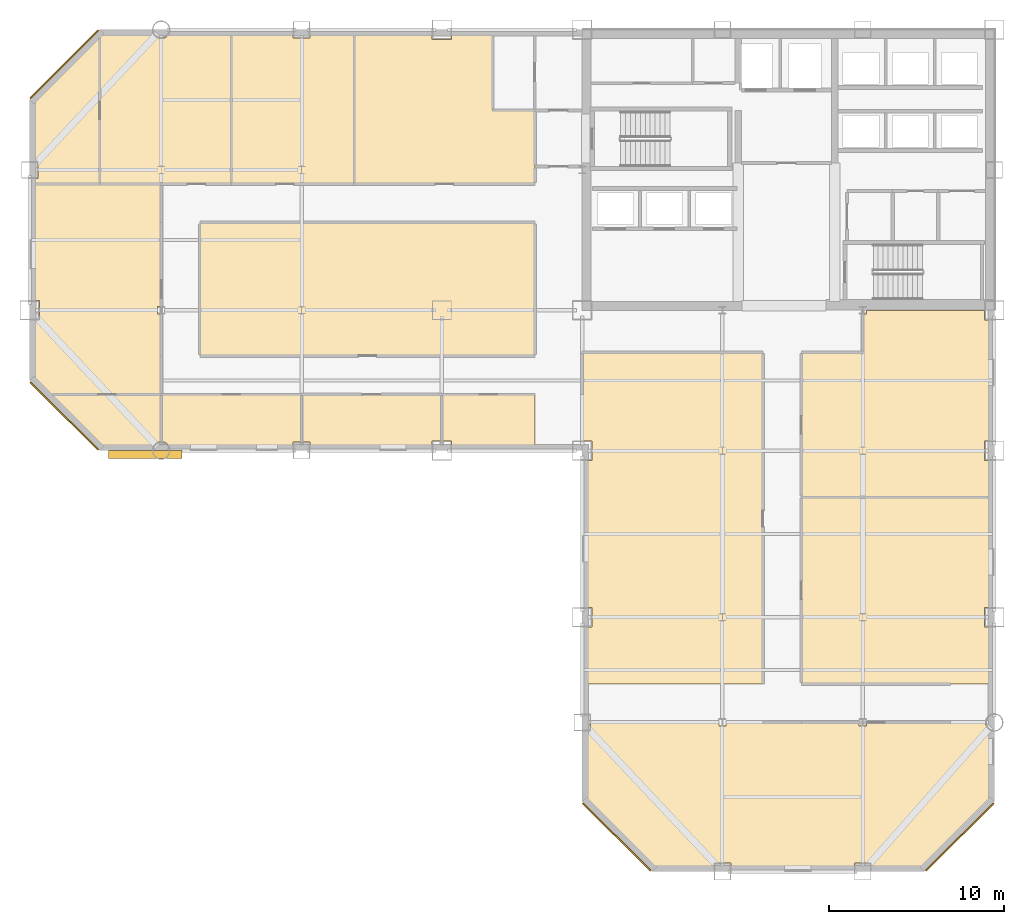
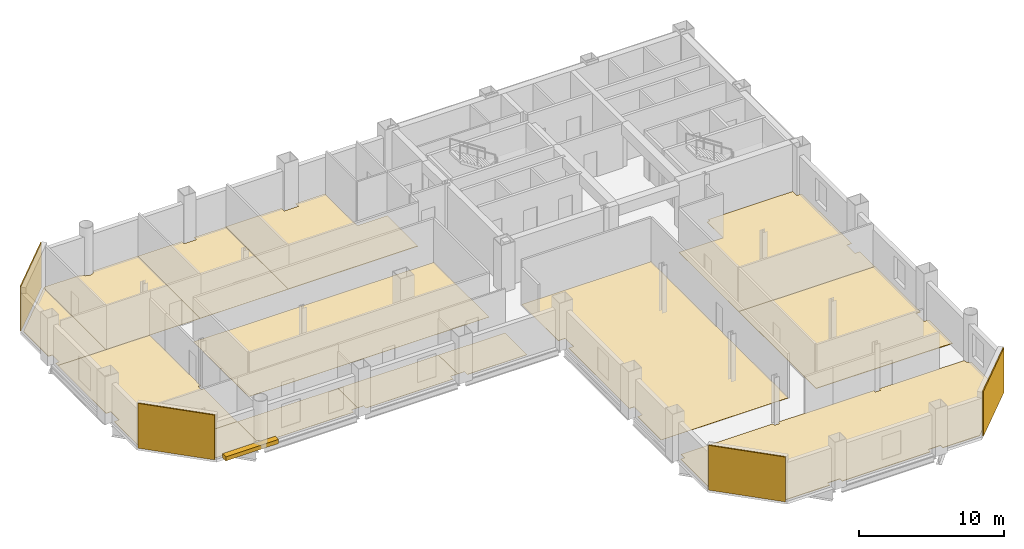
# One storey, part 9 of 10: 18 coverings, 1 shading device.
"""IFC4 building model written with IfcOpenShell, lengths in metres."""

from ifc_helpers import new_model, si_unit, direction, frame, origin, origin_2d, place, context, subcontext, project, spatial, polyline, rectangle, outline, extrude, material, layer, layer_set, type_object, element, save


model = new_model("IFC4")

# Units and contexts
model_context = context("Model", 3, precision=1e-05, world=origin(), true_north=direction((0.0, 1.0)))
body_context = subcontext(model_context, "Body", "Model", "MODEL_VIEW")
ifc_project = project(units=[si_unit("LENGTHUNIT", "METRE"), si_unit("AREAUNIT", "SQUARE_METRE"), si_unit("VOLUMEUNIT", "CUBIC_METRE"), si_unit("PLANEANGLEUNIT", "RADIAN"), si_unit("MASSUNIT", "GRAM", prefix="KILO")], contexts=[model_context])

# Site, building, storey
site_placement = place(None, origin())
site = spatial("IfcSite", under=ifc_project, at=site_placement, CompositionType="ELEMENT")
building_placement = place(site_placement, origin())
building = spatial("IfcBuilding", under=site, at=building_placement, Name="Qianrong Seaharbour Tower", CompositionType="ELEMENT")
storey_placement = place(building_placement, frame((0.0, 0.0, 175.0)))
storey = spatial("IfcBuildingStorey", under=building, at=storey_placement, Name="L42", CompositionType="ELEMENT", Elevation=175.0)

# Coverings
ifc_material_1 = material(Name="Unitised red brick cladding on Precast concrete C45/55", Category="masonry")
ifc_layer_1 = layer(ifc_material_1, 0.080078125)
ifc_layer_set_1 = layer_set([ifc_layer_1], Name="Unitised red brick cladding on Precast concrete C45/55")
covering_type_1 = type_object("IfcCoveringType", Name="COV-CLAD-RED-BRICK-80", PredefinedType="CLADDING", material=ifc_layer_set_1)
for number, where, z_axis, x_axis, name in (
    (1, (10.9716796875, 29.9716796875, 0.0), (0.0, 0.0, 1.0), (-0.707106781187, 0.707106781187, 0.0), "L42 Chamfer Corner Brick Cladding 02"),
    (2, (10.9716796875, 50.0283203125, 0.0), (0.0, 0.0, 1.0), (0.707106781187, 0.707106781187, 0.0), "L42 Chamfer Corner Brick Cladding 04"),
    (3, (62.0283203125, 5.9716796875, 0.0), (0.0, 0.0, 1.0), (-0.707106781187, -0.707106781187, 0.0), "L42 Chamfer Corner Brick Cladding 07"),
    (4, (42.4716796875, 5.9716796875, 0.0), (0.0, 0.0, 1.0), (-0.707106781187, 0.707106781187, 0.0), "L42 Chamfer Corner Brick Cladding 09"),
):
    element("IfcCovering", number, at=place(storey_placement, frame(where, z_axis=z_axis, x_axis=x_axis)), inside=storey, type_object=covering_type_1, Name=name, PredefinedType="CLADDING", context=body_context, shape_type="SweptSolid", body=[
        extrude(rectangle(XDim=5.456787109375, YDim=0.080078125, at=origin_2d()), origin(), (0.0, 0.0, 1.0), 3.764892578125),
    ])
ifc_material_2 = material(Name="Acoustic modular carpet tile flooring")
ifc_layer_2 = layer(ifc_material_2, 0.02001953125)
ifc_layer_set_2 = layer_set([ifc_layer_2], Name="Acoustic modular carpet tile flooring")
covering_type_2 = type_object("IfcCoveringType", Name="COV-FLOOR-CARPET-20", PredefinedType="FLOORING", material=ifc_layer_set_2)
covering_1_placement = place(storey_placement, origin())
element("IfcCovering", 5, at=covering_1_placement, inside=storey, type_object=covering_type_2, Name="L42 Wellness Room 1 Finish Flooring", PredefinedType="FLOORING", context=body_context, shape_type="SweptSolid", body=[
    extrude(outline(polyline([(56.5, 33.60009765625), (56.5, 35.7900390625), (56.7099609375, 35.7900390625), (56.7099609375, 36.0), (63.43994140625, 36.0), (63.43994140625, 35.43994140625), (63.824951171875, 35.43994140625), (63.824951171875, 28.56005859375), (63.43994140625, 28.56005859375), (63.43994140625, 27.43994140625), (63.824951171875, 27.43994140625), (63.824951171875, 25.35009765625), (53.0, 25.35009765625), (53.0, 33.60009765625), (56.5, 33.60009765625)])), origin(), (0.0, 0.0, 1.0), 0.02001953125),
])
covering_2_placement = place(storey_placement, origin())
element("IfcCovering", 6, at=covering_2_placement, inside=storey, type_object=covering_type_2, Name="L42 Occupational Health Clinic 1 Finish Flooring", PredefinedType="FLOORING", context=body_context, shape_type="SweptSolid", body=[
    extrude(outline(polyline([(9.175048828125, 43.514892578125), (9.485107421875, 43.514892578125), (9.485107421875, 44.485107421875), (9.175048828125, 44.485107421875), (9.175048828125, 47.927490234375), (13.0, 51.75244140625), (13.0, 43.199951171875), (9.175048828125, 43.199951171875), (9.175048828125, 43.514892578125)])), origin(), (0.0, 0.0, 1.0), 0.02001953125),
])
covering_3_placement = place(storey_placement, origin())
element("IfcCovering", 7, at=covering_3_placement, inside=storey, type_object=covering_type_2, Name="L42 Physiotherapy Room 2 Finish Flooring", PredefinedType="FLOORING", context=body_context, shape_type="SweptSolid", body=[
    extrude(outline(polyline([(13.0, 51.75244140625), (13.072509765625, 51.824951171875), (16.022705078125, 51.824951171875), (16.02880859375, 51.8046875), (16.075927734375, 51.716796875), (16.139404296875, 51.639404296875), (16.216796875, 51.575927734375), (16.3046875, 51.52880859375), (16.400390625, 51.499755859375), (16.5, 51.489990234375), (16.599609375, 51.499755859375), (16.6953125, 51.52880859375), (16.783203125, 51.575927734375), (16.860595703125, 51.639404296875), (16.924072265625, 51.716796875), (16.97119140625, 51.8046875), (16.977294921875, 51.824951171875), (20.5, 51.824951171875), (20.5, 43.199951171875), (13.0, 43.199951171875), (13.0, 51.75244140625)])), origin(), (0.0, 0.0, 1.0), 0.02001953125),
])
covering_4_placement = place(storey_placement, origin())
element("IfcCovering", 8, at=covering_4_placement, inside=storey, type_object=covering_type_2, Name="L42 First Aid Nursing Room 3 Finish Flooring", PredefinedType="FLOORING", context=body_context, shape_type="SweptSolid", body=[
    extrude(outline(polyline([(20.5, 51.824951171875), (24.014892578125, 51.824951171875), (24.014892578125, 51.514892578125), (24.985107421875, 51.514892578125), (24.985107421875, 51.824951171875), (27.5, 51.824951171875), (27.5, 43.199951171875), (20.5, 43.199951171875), (20.5, 51.824951171875)])), origin(), (0.0, 0.0, 1.0), 0.02001953125),
])
covering_5_placement = place(storey_placement, origin())
element("IfcCovering", 9, at=covering_5_placement, inside=storey, type_object=covering_type_2, Name="L42 Rehabilitation Fitness Hall Finish Flooring", PredefinedType="FLOORING", context=body_context, shape_type="SweptSolid", body=[
    extrude(outline(polyline([(37.800048828125, 41.0), (37.800048828125, 33.39990234375), (18.699951171875, 33.39990234375), (18.699951171875, 41.0), (37.800048828125, 41.0)])), origin(), (0.0, 0.0, 1.0), 0.02001953125),
])
covering_6_placement = place(storey_placement, origin())
element("IfcCovering", 10, at=covering_6_placement, inside=storey, type_object=covering_type_2, Name="L42 Wellness Room 1 Finish Flooring", PredefinedType="FLOORING", context=body_context, shape_type="SweptSolid", body=[
    extrude(outline(polyline([(13.072509765625, 28.175048828125), (10.047607421875, 31.199951171875), (16.5, 31.199951171875), (16.5, 28.510009765625), (16.400390625, 28.500244140625), (16.3046875, 28.47119140625), (16.216796875, 28.424072265625), (16.139404296875, 28.360595703125), (16.075927734375, 28.283203125), (16.02880859375, 28.1953125), (16.022705078125, 28.175048828125), (13.072509765625, 28.175048828125)])), origin(), (0.0, 0.0, 1.0), 0.02001953125),
])
covering_7_placement = place(storey_placement, origin())
element("IfcCovering", 11, at=covering_7_placement, inside=storey, type_object=covering_type_2, Name="L42 Wet Pantry 2 Finish Flooring", PredefinedType="FLOORING", context=body_context, shape_type="SweptSolid", body=[
    extrude(outline(polyline([(24.5, 28.485107421875), (24.014892578125, 28.485107421875), (24.014892578125, 28.175048828125), (16.977294921875, 28.175048828125), (16.97119140625, 28.1953125), (16.924072265625, 28.283203125), (16.860595703125, 28.360595703125), (16.783203125, 28.424072265625), (16.6953125, 28.47119140625), (16.599609375, 28.500244140625), (16.5, 28.510009765625), (16.5, 31.199951171875), (24.5, 31.199951171875), (24.5, 28.485107421875)])), origin(), (0.0, 0.0, 1.0), 0.02001953125),
])
covering_8_placement = place(storey_placement, origin())
element("IfcCovering", 12, at=covering_8_placement, inside=storey, type_object=covering_type_2, Name="L42 Wellness Room 3 Finish Flooring", PredefinedType="FLOORING", context=body_context, shape_type="SweptSolid", body=[
    extrude(outline(polyline([(32.5, 28.56005859375), (31.93994140625, 28.56005859375), (31.93994140625, 28.175048828125), (24.985107421875, 28.175048828125), (24.985107421875, 28.485107421875), (24.5, 28.485107421875), (24.5, 31.199951171875), (32.5, 31.199951171875), (32.5, 28.56005859375)])), origin(), (0.0, 0.0, 1.0), 0.02001953125),
])
covering_9_placement = place(storey_placement, origin())
element("IfcCovering", 13, at=covering_9_placement, inside=storey, type_object=covering_type_2, Name="L42 Wet Pantry 4 Finish Flooring", PredefinedType="FLOORING", context=body_context, shape_type="SweptSolid", body=[
    extrude(outline(polyline([(37.800048828125, 28.175048828125), (33.06005859375, 28.175048828125), (33.06005859375, 28.56005859375), (32.5, 28.56005859375), (32.5, 31.199951171875), (37.800048828125, 31.199951171875), (37.800048828125, 28.175048828125)])), origin(), (0.0, 0.0, 1.0), 0.02001953125),
])
covering_10_placement = place(storey_placement, origin())
element("IfcCovering", 14, at=covering_10_placement, inside=storey, type_object=covering_type_2, Name="L42 Ergonomics Assessment Hall Finish Flooring", PredefinedType="FLOORING", context=body_context, shape_type="SweptSolid", body=[
    extrude(outline(polyline([(10.047607421875, 31.199951171875), (9.175048828125, 32.072509765625), (9.175048828125, 35.43994140625), (9.56005859375, 35.43994140625), (9.56005859375, 36.56005859375), (9.175048828125, 36.56005859375), (9.175048828125, 43.199951171875), (16.5, 43.199951171875), (16.5, 36.2099609375), (16.2900390625, 36.2099609375), (16.2900390625, 35.7900390625), (16.5, 35.7900390625), (16.5, 31.199951171875), (10.047607421875, 31.199951171875)])), origin(), (0.0, 0.0, 1.0), 0.02001953125),
])
covering_11_placement = place(storey_placement, origin())
element("IfcCovering", 15, at=covering_11_placement, inside=storey, type_object=covering_type_2, Name="L42 Clinical Dispensary Store Finish Flooring", PredefinedType="FLOORING", context=body_context, shape_type="SweptSolid", body=[
    extrude(outline(polyline([(50.800048828125, 14.699951171875), (40.675048828125, 14.699951171875), (40.675048828125, 17.93994140625), (41.06005859375, 17.93994140625), (41.06005859375, 19.06005859375), (40.675048828125, 19.06005859375), (40.675048828125, 27.43994140625), (41.06005859375, 27.43994140625), (41.06005859375, 28.56005859375), (40.5, 28.56005859375), (40.5, 33.60009765625), (50.800048828125, 33.60009765625), (50.800048828125, 14.699951171875)])), origin(), (0.0, 0.0, 1.0), 0.02001953125),
])
ifc_material_3 = material(Name="Calcium-sulphate raised access floor tile")
ifc_layer_3 = layer(ifc_material_3, 0.044921875)
ifc_layer_set_3 = layer_set([ifc_layer_3], Name="Calcium-sulphate raised access floor tile")
covering_type_3 = type_object("IfcCoveringType", Name="COV-FLOOR-RAISED-45", PredefinedType="FLOORING", material=ifc_layer_set_3)
covering_12_placement = place(storey_placement, origin())
element("IfcCovering", 16, at=covering_12_placement, inside=storey, type_object=covering_type_3, Name="L42 South Tip Open-Plan Office Finish Flooring", PredefinedType="FLOORING", context=body_context, shape_type="SweptSolid", body=[
    extrude(outline(polyline([(59.927490234375, 4.175048828125), (56.985107421875, 4.175048828125), (56.985107421875, 4.485107421875), (56.014892578125, 4.485107421875), (56.014892578125, 4.175048828125), (48.985107421875, 4.175048828125), (48.985107421875, 4.485107421875), (48.014892578125, 4.485107421875), (48.014892578125, 4.175048828125), (44.572509765625, 4.175048828125), (40.675048828125, 8.072509765625), (40.675048828125, 12.014892578125), (40.985107421875, 12.014892578125), (40.985107421875, 12.5), (48.2900390625, 12.5), (48.2900390625, 12.2900390625), (48.7099609375, 12.2900390625), (48.7099609375, 12.5), (56.2900390625, 12.5), (56.2900390625, 12.2900390625), (56.7099609375, 12.2900390625), (56.7099609375, 12.5), (63.489990234375, 12.5), (63.499755859375, 12.400390625), (63.52880859375, 12.3046875), (63.575927734375, 12.216796875), (63.639404296875, 12.139404296875), (63.716796875, 12.075927734375), (63.8046875, 12.02880859375), (63.824951171875, 12.022705078125), (63.824951171875, 8.072509765625), (59.927490234375, 4.175048828125)])), origin(), (0.0, 0.0, 1.0), 0.044921875),
])
covering_13_placement = place(storey_placement, origin())
element("IfcCovering", 17, at=covering_13_placement, inside=storey, type_object=covering_type_3, Name="L42 Operations Open-Plan Office Finish Flooring", PredefinedType="FLOORING", context=body_context, shape_type="SweptSolid", body=[
    extrude(outline(polyline([(63.824951171875, 25.35009765625), (63.824951171875, 19.06005859375), (63.43994140625, 19.06005859375), (63.43994140625, 17.93994140625), (63.824951171875, 17.93994140625), (63.824951171875, 14.699951171875), (53.0, 14.699951171875), (53.0, 25.35009765625), (63.824951171875, 25.35009765625)])), origin(), (0.0, 0.0, 1.0), 0.044921875),
])
covering_14_placement = place(storey_placement, origin())
element("IfcCovering", 18, at=covering_14_placement, inside=storey, type_object=covering_type_3, Name="L42 Case Coordinator Office 4 Finish Flooring", PredefinedType="FLOORING", context=body_context, shape_type="SweptSolid", body=[
    extrude(outline(polyline([(27.5, 51.824951171875), (31.93994140625, 51.824951171875), (31.93994140625, 51.43994140625), (33.06005859375, 51.43994140625), (33.06005859375, 51.824951171875), (35.39990234375, 51.824951171875), (35.39990234375, 47.39990234375), (37.800048828125, 47.39990234375), (37.800048828125, 43.199951171875), (27.5, 43.199951171875), (27.5, 51.824951171875)])), origin(), (0.0, 0.0, 1.0), 0.044921875),
])

# Shading device
ifc_material_4 = material(Name="White architectural precast concrete C45/55", Category="concrete")
shading_device_type = type_object("IfcShadingDeviceType", Name="SHD-SUNSHADE-WHITE-320", PredefinedType="AWNING", material=ifc_material_4)
shading_device_placement = place(storey_placement, frame((15.60009765625, 27.780029296875, -0.02001953125), z_axis=(0.0, 0.0, 1.0), x_axis=(1.0, 0.0, 0.0)))
element("IfcShadingDevice", 19, at=shading_device_placement, inside=storey, type_object=shading_device_type, Name="L42 Climbing White Precast Ribbon Canopy Fin", PredefinedType="AWNING", context=body_context, shape_type="SweptSolid", body=[
    extrude(rectangle(XDim=4.199951171875, YDim=0.4599609375, at=origin_2d()), origin(), (0.0, 0.0, 1.0), 0.340087890625),
])

save(model, "model.ifc")
